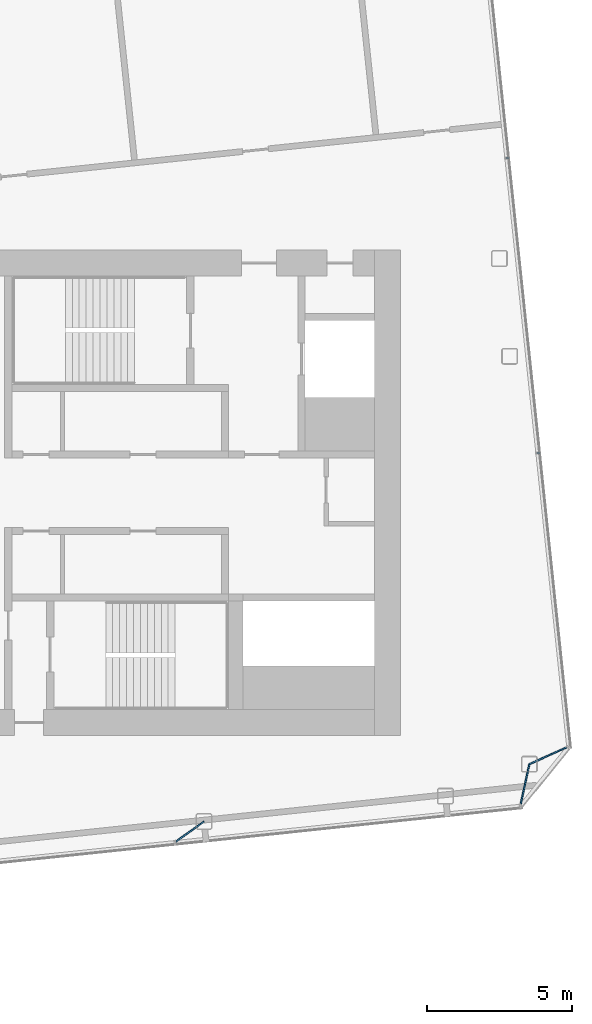
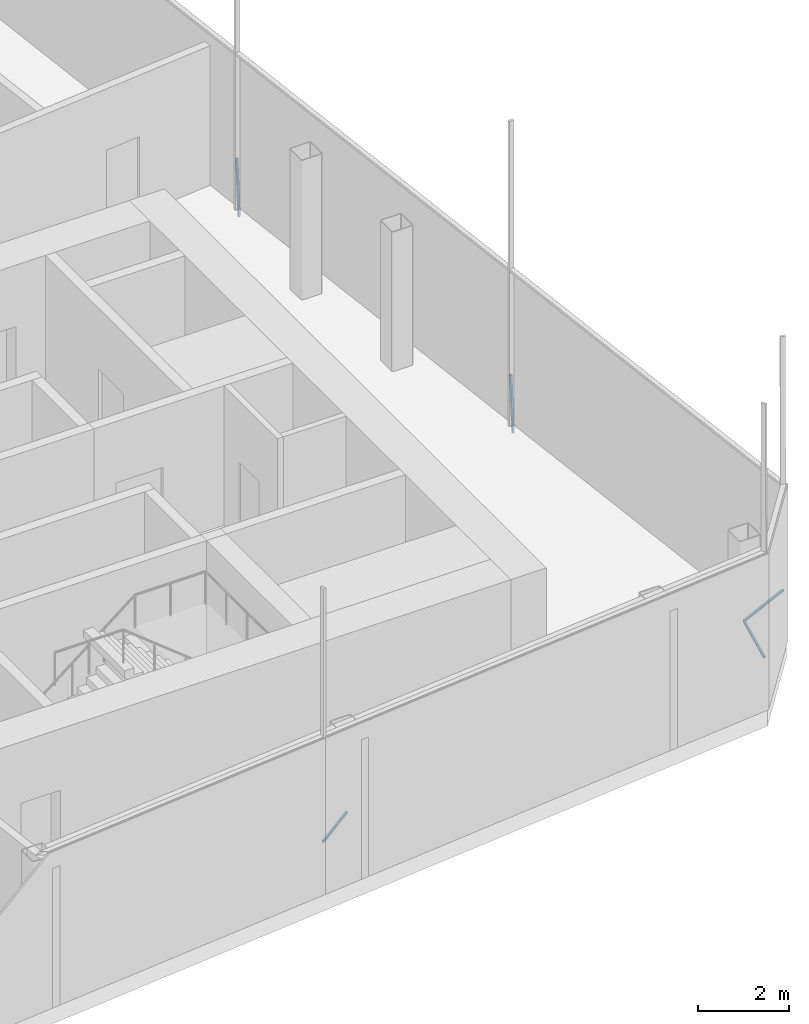
# One storey, part 26 of 41: 5 discrete accessories.
"""IFC4 building model written with IfcOpenShell, lengths in metres."""

from ifc_helpers import new_model, si_unit, direction, frame, origin, origin_2d, place, context, subcontext, project, spatial, rectangle, extrude, material, material_profile, profile_set, type_object, element, save


model = new_model("IFC4")

# Units and contexts
model_context = context("Model", 3, precision=1e-05, world=origin(), true_north=direction((0.0, 1.0)))
body_context = subcontext(model_context, "Body", "Model", "MODEL_VIEW")
ifc_project = project(units=[si_unit("LENGTHUNIT", "METRE"), si_unit("AREAUNIT", "SQUARE_METRE"), si_unit("VOLUMEUNIT", "CUBIC_METRE"), si_unit("PLANEANGLEUNIT", "RADIAN"), si_unit("MASSUNIT", "GRAM", prefix="KILO")], contexts=[model_context])

# Site, building, storey
site_placement = place(None, origin())
site = spatial("IfcSite", under=ifc_project, at=site_placement, CompositionType="ELEMENT")
building_placement = place(site_placement, origin())
building = spatial("IfcBuilding", under=site, at=building_placement, Name="Hakoniwa Tower and Hamabe Station Hall", CompositionType="ELEMENT")
storey_placement = place(building_placement, frame((0.0, 0.0, 276.60009765625)))
storey = spatial("IfcBuildingStorey", under=building, at=storey_placement, Name="L77", CompositionType="ELEMENT", Elevation=276.60009765625)

# Discrete accessories
ifc_material = material(Name="Stainless steel SUS304", Category="steel")
ifc_material_profile = material_profile(ifc_material, rectangle(XDim=0.050048828125, YDim=0.050048828125, at=origin_2d()), Name="CW-4 GLAZING BRACKET 50X50")
ifc_profile_set = profile_set([ifc_material_profile], Name="Stainless steel SUS304")
discrete_accessory_type = type_object("IfcDiscreteAccessoryType", Name="CW-4 GLAZING BRACKET 50X50", PredefinedType="BRACKET", material=ifc_profile_set)
discrete_accessory_1_placement = place(storey_placement, frame((25.79345703125, -12.09375, 1.366455078125), z_axis=(0.813024643552, 0.582229275266, 0.0), x_axis=(-0.582229275266, 0.813024643552, 0.0)))
element("IfcDiscreteAccessory", 1, at=discrete_accessory_1_placement, inside=storey, type_object=discrete_accessory_type, Name="Glazing bracket", PredefinedType="BRACKET", context=body_context, shape_type="SweptSolid", body=[
    extrude(rectangle(XDim=0.050048828125, YDim=0.050048828125, at=origin_2d()), origin(), (0.0, 0.0, 1.0), 1.234375),
])
discrete_accessory_2_placement = place(storey_placement, frame((37.265625, 11.574951171875, 1.366455078125), z_axis=(0.037402566171, 0.003985519346, -0.999292331442), x_axis=(-0.105957528947, 0.994370656274, 0.0)))
element("IfcDiscreteAccessory", 2, at=discrete_accessory_2_placement, inside=storey, type_object=discrete_accessory_type, Name="Glazing bracket", PredefinedType="BRACKET", context=body_context, shape_type="SweptSolid", body=[
    extrude(rectangle(XDim=0.050048828125, YDim=0.050048828125, at=origin_2d()), origin(), (0.0, 0.0, 1.0), 1.5927734375),
])
discrete_accessory_3_placement = place(storey_placement, frame((37.74365234375, -10.82080078125, 1.366455078125), z_axis=(0.212318853566, 0.977200442295, 0.0), x_axis=(-0.977200442295, 0.212318853566, 0.0)))
element("IfcDiscreteAccessory", 3, at=discrete_accessory_3_placement, inside=storey, type_object=discrete_accessory_type, Name="Glazing bracket", PredefinedType="BRACKET", context=body_context, shape_type="SweptSolid", body=[
    extrude(rectangle(XDim=0.050048828125, YDim=0.050048828125, at=origin_2d()), origin(), (0.0, 0.0, 1.0), 1.4638671875),
])
discrete_accessory_4_placement = place(storey_placement, frame((38.338134765625, 1.371337890625, 1.366455078125), z_axis=(0.037402588583, 0.003832232437, -0.999292930207), x_axis=(-0.101925414299, 0.994792043555, 0.0)))
element("IfcDiscreteAccessory", 4, at=discrete_accessory_4_placement, inside=storey, type_object=discrete_accessory_type, Name="Glazing bracket", PredefinedType="BRACKET", context=body_context, shape_type="SweptSolid", body=[
    extrude(rectangle(XDim=0.050048828125, YDim=0.050048828125, at=origin_2d()), origin(), (0.0, 0.0, 1.0), 1.5927734375),
])
discrete_accessory_5_placement = place(storey_placement, frame((39.388427734375, -8.790283203125, 1.366455078125), z_axis=(-0.911971465956, -0.410253635307, 0.0), x_axis=(0.410253635307, -0.911971465956, 0.0)))
element("IfcDiscreteAccessory", 5, at=discrete_accessory_5_placement, inside=storey, type_object=discrete_accessory_type, Name="Glazing bracket", PredefinedType="BRACKET", context=body_context, shape_type="SweptSolid", body=[
    extrude(rectangle(XDim=0.050048828125, YDim=0.050048828125, at=origin_2d()), origin(), (0.0, 0.0, 1.0), 1.462646484375),
])

save(model, "model.ifc")
